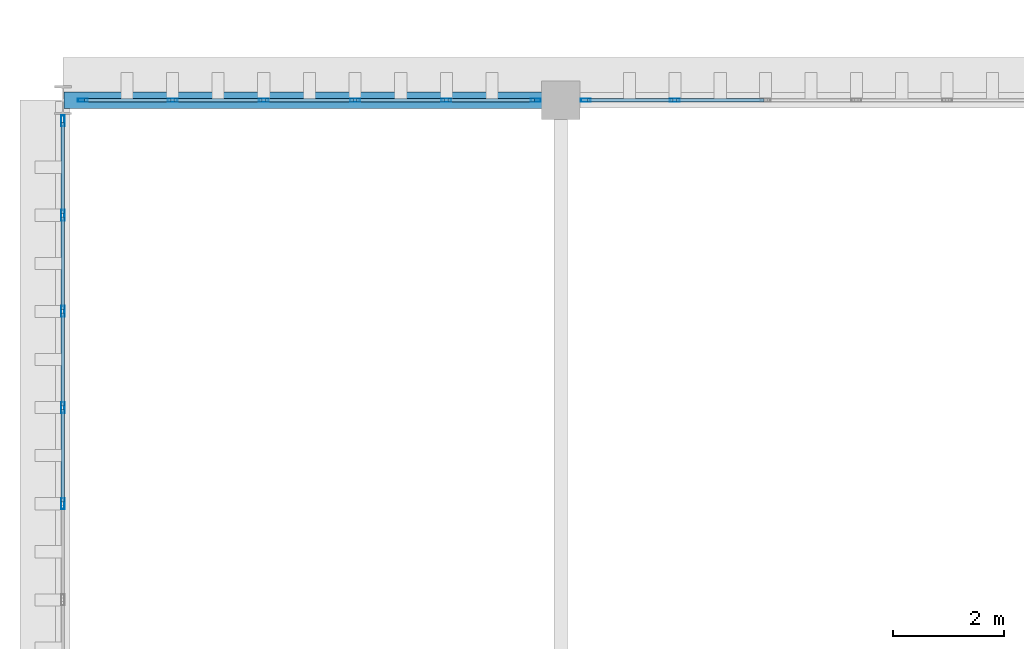
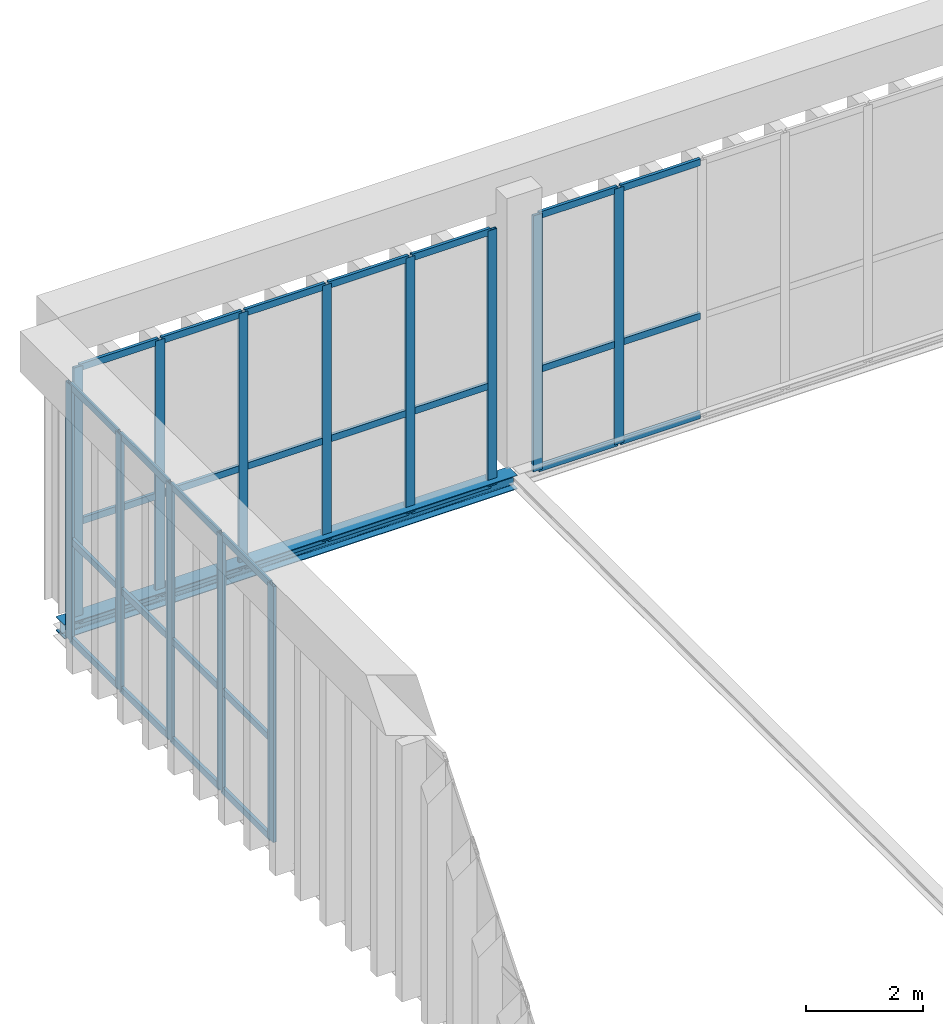
# One storey, part 166 of 237: 46 members, 1 beam, 3 elements without a shape of their own.
"""IFC4 building model written with IfcOpenShell, lengths in metres."""

from ifc_helpers import new_model, si_unit, direction, frame, origin, origin_2d, place, context, subcontext, project, spatial, hollow_rectangle, i_section, extrude, material, layer, layer_set, material_profile, profile_set, type_object, element, aggregate, save


model = new_model("IFC4")

# Units and contexts
model_context = context("Model", 3, precision=1e-05, world=origin(), true_north=direction((0.0, 1.0)))
body_context = subcontext(model_context, "Body", "Model", "MODEL_VIEW")
ifc_project = project(units=[si_unit("LENGTHUNIT", "METRE"), si_unit("AREAUNIT", "SQUARE_METRE"), si_unit("VOLUMEUNIT", "CUBIC_METRE"), si_unit("PLANEANGLEUNIT", "RADIAN"), si_unit("MASSUNIT", "GRAM", prefix="KILO")], contexts=[model_context])

# Site, building, storey
site_placement = place(None, origin())
site = spatial("IfcSite", under=ifc_project, at=site_placement, CompositionType="ELEMENT")
building_placement = place(site_placement, origin())
building = spatial("IfcBuilding", under=site, at=building_placement, Name="Barlavento Convention Centre", CompositionType="ELEMENT")
storey_placement = place(building_placement, frame((0.0, 0.0, 12.0)))
storey = spatial("IfcBuildingStorey", under=building, at=storey_placement, Name="L02", CompositionType="ELEMENT", Elevation=12.0)

# Curtain wall, members
ifc_material_1 = material(Name="Powder-coated aluminium and Low-E glass", Category="aluminium")
ifc_layer = layer(ifc_material_1, 0.18505859375)
ifc_layer_set = layer_set([ifc_layer], Name="ARC-CW-EXH-L02")
curtain_wall_type = type_object("IfcCurtainWallType", Name="ARC-CW-EXH-L02", PredefinedType="NOTDEFINED", material=ifc_layer_set)
curtain_wall_1_placement = place(storey_placement, origin())
curtain_wall_1 = element("IfcCurtainWall", 1, at=curtain_wall_1_placement, inside=storey, type_object=curtain_wall_type, Name="L02 unitised curtain wall CW05", PredefinedType="NOTDEFINED")
ifc_material_2 = material(Name="Powder-coated aluminium", Category="aluminium")
ifc_material_profile_1 = material_profile(ifc_material_2, hollow_rectangle(XDim=0.06005859375, YDim=0.179931640625, WallThickness=0.0048828125, at=origin_2d()), Name="AL-MULL 60x180x5")
ifc_profile_set_1 = profile_set([ifc_material_profile_1], Name="Powder-coated aluminium")
member_type_1 = type_object("IfcMemberType", Name="ARC-CWM-60X180", PredefinedType="MULLION", material=ifc_profile_set_1)
member_1_placement = place(storey_placement, frame((0.362060546875, 135.0, -0.5), z_axis=(0.0, 0.0, 1.0), x_axis=(0.0, 1.0, 0.0)))
member_1 = element("IfcMember", 2, at=member_1_placement, type_object=member_type_1, Name="CW05 mullion 1", PredefinedType="MULLION", context=body_context, shape_type="SweptSolid", body=[
    extrude(hollow_rectangle(XDim=0.06005859375, YDim=0.179931640625, WallThickness=0.0048828125, at=origin_2d()), origin(), (0.0, 0.0, 1.0), 5.35009765625),
])
member_2_placement = place(storey_placement, frame((1.981689453125, 135.0, -0.5), z_axis=(0.0, 0.0, 1.0), x_axis=(0.0, 1.0, 0.0)))
member_2 = element("IfcMember", 3, at=member_2_placement, type_object=member_type_1, Name="CW05 mullion 2", PredefinedType="MULLION", context=body_context, shape_type="SweptSolid", body=[
    extrude(hollow_rectangle(XDim=0.06005859375, YDim=0.179931640625, WallThickness=0.0048828125, at=origin_2d()), origin(), (0.0, 0.0, 1.0), 5.35009765625),
])
member_3_placement = place(storey_placement, frame((3.631103515625, 135.0, -0.5), z_axis=(0.0, 0.0, 1.0), x_axis=(0.0, 1.0, 0.0)))
member_3 = element("IfcMember", 4, at=member_3_placement, type_object=member_type_1, Name="CW05 mullion 3", PredefinedType="MULLION", context=body_context, shape_type="SweptSolid", body=[
    extrude(hollow_rectangle(XDim=0.06005859375, YDim=0.179931640625, WallThickness=0.0048828125, at=origin_2d()), origin(), (0.0, 0.0, 1.0), 5.35009765625),
])
member_4_placement = place(storey_placement, frame((5.28076171875, 135.0, -0.5), z_axis=(0.0, 0.0, 1.0), x_axis=(0.0, 1.0, 0.0)))
member_4 = element("IfcMember", 5, at=member_4_placement, type_object=member_type_1, Name="CW05 mullion 4", PredefinedType="MULLION", context=body_context, shape_type="SweptSolid", body=[
    extrude(hollow_rectangle(XDim=0.06005859375, YDim=0.179931640625, WallThickness=0.0048828125, at=origin_2d()), origin(), (0.0, 0.0, 1.0), 5.35009765625),
])
member_5_placement = place(storey_placement, frame((6.930419921875, 135.0, -0.5), z_axis=(0.0, 0.0, 1.0), x_axis=(0.0, 1.0, 0.0)))
member_5 = element("IfcMember", 6, at=member_5_placement, type_object=member_type_1, Name="CW05 mullion 5", PredefinedType="MULLION", context=body_context, shape_type="SweptSolid", body=[
    extrude(hollow_rectangle(XDim=0.06005859375, YDim=0.179931640625, WallThickness=0.0048828125, at=origin_2d()), origin(), (0.0, 0.0, 1.0), 5.35009765625),
])
member_6_placement = place(storey_placement, frame((8.550048828125, 135.0, -0.5), z_axis=(0.0, 0.0, 1.0), x_axis=(0.0, 1.0, 0.0)))
member_6 = element("IfcMember", 7, at=member_6_placement, type_object=member_type_1, Name="CW05 mullion 6", PredefinedType="MULLION", context=body_context, shape_type="SweptSolid", body=[
    extrude(hollow_rectangle(XDim=0.06005859375, YDim=0.179931640625, WallThickness=0.0048828125, at=origin_2d()), origin(), (0.0, 0.0, 1.0), 5.35009765625),
])

curtain_wall_2_placement = place(storey_placement, origin())
curtain_wall_2 = element("IfcCurtainWall", 8, at=curtain_wall_2_placement, inside=storey, type_object=curtain_wall_type, Name="L02 unitised curtain wall CW05", PredefinedType="NOTDEFINED")
member_7_placement = place(storey_placement, frame((9.449951171875, 135.0, -0.5), z_axis=(0.0, 0.0, 1.0), x_axis=(0.0, 1.0, 0.0)))
member_7 = element("IfcMember", 9, at=member_7_placement, type_object=member_type_1, Name="CW05 mullion 1", PredefinedType="MULLION", context=body_context, shape_type="SweptSolid", body=[
    extrude(hollow_rectangle(XDim=0.06005859375, YDim=0.179931640625, WallThickness=0.0048828125, at=origin_2d()), origin(), (0.0, 0.0, 1.0), 5.35009765625),
])
member_8_placement = place(storey_placement, frame((11.06005859375, 135.0, -0.5), z_axis=(0.0, 0.0, 1.0), x_axis=(0.0, 1.0, 0.0)))
member_8 = element("IfcMember", 10, at=member_8_placement, type_object=member_type_1, Name="CW05 mullion 2", PredefinedType="MULLION", context=body_context, shape_type="SweptSolid", body=[
    extrude(hollow_rectangle(XDim=0.06005859375, YDim=0.179931640625, WallThickness=0.0048828125, at=origin_2d()), origin(), (0.0, 0.0, 1.0), 5.35009765625),
])

curtain_wall_3_placement = place(storey_placement, origin())
curtain_wall_3 = element("IfcCurtainWall", 11, at=curtain_wall_3_placement, inside=storey, type_object=curtain_wall_type, Name="L02 unitised curtain wall CW05", PredefinedType="NOTDEFINED")
ifc_material_profile_2 = material_profile(ifc_material_2, hollow_rectangle(XDim=0.06494140625, YDim=0.199951171875, WallThickness=0.0048828125, at=origin_2d()), Name="AL-MULL 65x200x5")
ifc_profile_set_2 = profile_set([ifc_material_profile_2], Name="Powder-coated aluminium")
member_type_2 = type_object("IfcMemberType", Name="ARC-CWM-65X200", PredefinedType="MULLION", material=ifc_profile_set_2)
member_9_placement = place(storey_placement, frame((0.0, 127.7080078125, -0.5), z_axis=(0.0, 0.0, 1.0), x_axis=(-1.0, 0.0, 0.0)))
member_9 = element("IfcMember", 12, at=member_9_placement, type_object=member_type_2, Name="CW05 mullion 7", PredefinedType="MULLION", context=body_context, shape_type="SweptSolid", body=[
    extrude(hollow_rectangle(XDim=0.06494140625, YDim=0.199951171875, WallThickness=0.0048828125, at=origin_2d()), origin(), (0.0, 0.0, 1.0), 5.35009765625),
])
member_10_placement = place(storey_placement, frame((0.0, 129.445556640625, -0.5), z_axis=(0.0, 0.0, 1.0), x_axis=(-1.0, 0.0, 0.0)))
member_10 = element("IfcMember", 13, at=member_10_placement, type_object=member_type_2, Name="CW05 mullion 8", PredefinedType="MULLION", context=body_context, shape_type="SweptSolid", body=[
    extrude(hollow_rectangle(XDim=0.06494140625, YDim=0.199951171875, WallThickness=0.0048828125, at=origin_2d()), origin(), (0.0, 0.0, 1.0), 5.35009765625),
])
member_11_placement = place(storey_placement, frame((0.0, 131.18310546875, -0.5), z_axis=(0.0, 0.0, 1.0), x_axis=(-1.0, 0.0, 0.0)))
member_11 = element("IfcMember", 14, at=member_11_placement, type_object=member_type_2, Name="CW05 mullion 9", PredefinedType="MULLION", context=body_context, shape_type="SweptSolid", body=[
    extrude(hollow_rectangle(XDim=0.06494140625, YDim=0.199951171875, WallThickness=0.0048828125, at=origin_2d()), origin(), (0.0, 0.0, 1.0), 5.35009765625),
])
member_12_placement = place(storey_placement, frame((0.0, 132.92041015625, -0.5), z_axis=(0.0, 0.0, 1.0), x_axis=(-1.0, 0.0, 0.0)))
member_12 = element("IfcMember", 15, at=member_12_placement, type_object=member_type_2, Name="CW05 mullion 10", PredefinedType="MULLION", context=body_context, shape_type="SweptSolid", body=[
    extrude(hollow_rectangle(XDim=0.06494140625, YDim=0.199951171875, WallThickness=0.0048828125, at=origin_2d()), origin(), (0.0, 0.0, 1.0), 5.35009765625),
])
member_13_placement = place(storey_placement, frame((0.0, 134.62548828125, -0.5), z_axis=(0.0, 0.0, 1.0), x_axis=(-1.0, 0.0, 0.0)))
member_13 = element("IfcMember", 16, at=member_13_placement, type_object=member_type_2, Name="CW05 mullion 11", PredefinedType="MULLION", context=body_context, shape_type="SweptSolid", body=[
    extrude(hollow_rectangle(XDim=0.06494140625, YDim=0.199951171875, WallThickness=0.0048828125, at=origin_2d()), origin(), (0.0, 0.0, 1.0), 5.35009765625),
])
ifc_material_profile_3 = material_profile(ifc_material_2, hollow_rectangle(XDim=0.06005859375, YDim=0.139892578125, WallThickness=0.00390625, at=origin_2d()), Name="AL-TRAN 60x140x4")
ifc_profile_set_3 = profile_set([ifc_material_profile_3], Name="Powder-coated aluminium")
member_type_3 = type_object("IfcMemberType", Name="ARC-CWT-60X140", PredefinedType="USERDEFINED", material=ifc_profile_set_3)
member_14_placement = place(storey_placement, frame((0.0, 127.740478515625, -0.469970703125), z_axis=(0.0, 1.0, 0.0), x_axis=(-1.0, 0.0, 0.0)))
member_14 = element("IfcMember", 17, at=member_14_placement, type_object=member_type_3, Name="CW05 transom 7.1", ObjectType="TRANSOM", PredefinedType="USERDEFINED", context=body_context, shape_type="SweptSolid", body=[
    extrude(hollow_rectangle(XDim=0.06005859375, YDim=0.139892578125, WallThickness=0.00390625, at=origin_2d()), origin(), (0.0, 0.0, 1.0), 1.672607421875),
])
member_15_placement = place(storey_placement, frame((0.0, 127.740478515625, 1.60009765625), z_axis=(0.0, 1.0, 0.0), x_axis=(-1.0, 0.0, 0.0)))
member_15 = element("IfcMember", 18, at=member_15_placement, type_object=member_type_3, Name="CW05 transom 7.2", ObjectType="TRANSOM", PredefinedType="USERDEFINED", context=body_context, shape_type="SweptSolid", body=[
    extrude(hollow_rectangle(XDim=0.06005859375, YDim=0.139892578125, WallThickness=0.00390625, at=origin_2d()), origin(), (0.0, 0.0, 1.0), 1.672607421875),
])
member_16_placement = place(storey_placement, frame((0.0, 127.740478515625, 4.820068359375), z_axis=(0.0, 1.0, 0.0), x_axis=(-1.0, 0.0, 0.0)))
member_16 = element("IfcMember", 19, at=member_16_placement, type_object=member_type_3, Name="CW05 transom 7.3", ObjectType="TRANSOM", PredefinedType="USERDEFINED", context=body_context, shape_type="SweptSolid", body=[
    extrude(hollow_rectangle(XDim=0.06005859375, YDim=0.139892578125, WallThickness=0.00390625, at=origin_2d()), origin(), (0.0, 0.0, 1.0), 1.672607421875),
])
member_17_placement = place(storey_placement, frame((0.0, 129.47802734375, -0.469970703125), z_axis=(0.0, 1.0, 0.0), x_axis=(-1.0, 0.0, 0.0)))
member_17 = element("IfcMember", 20, at=member_17_placement, type_object=member_type_3, Name="CW05 transom 8.1", ObjectType="TRANSOM", PredefinedType="USERDEFINED", context=body_context, shape_type="SweptSolid", body=[
    extrude(hollow_rectangle(XDim=0.06005859375, YDim=0.139892578125, WallThickness=0.00390625, at=origin_2d()), origin(), (0.0, 0.0, 1.0), 1.672607421875),
])
member_18_placement = place(storey_placement, frame((0.0, 129.47802734375, 1.60009765625), z_axis=(0.0, 1.0, 0.0), x_axis=(-1.0, 0.0, 0.0)))
member_18 = element("IfcMember", 21, at=member_18_placement, type_object=member_type_3, Name="CW05 transom 8.2", ObjectType="TRANSOM", PredefinedType="USERDEFINED", context=body_context, shape_type="SweptSolid", body=[
    extrude(hollow_rectangle(XDim=0.06005859375, YDim=0.139892578125, WallThickness=0.00390625, at=origin_2d()), origin(), (0.0, 0.0, 1.0), 1.672607421875),
])
member_19_placement = place(storey_placement, frame((0.0, 129.47802734375, 4.820068359375), z_axis=(0.0, 1.0, 0.0), x_axis=(-1.0, 0.0, 0.0)))
member_19 = element("IfcMember", 22, at=member_19_placement, type_object=member_type_3, Name="CW05 transom 8.3", ObjectType="TRANSOM", PredefinedType="USERDEFINED", context=body_context, shape_type="SweptSolid", body=[
    extrude(hollow_rectangle(XDim=0.06005859375, YDim=0.139892578125, WallThickness=0.00390625, at=origin_2d()), origin(), (0.0, 0.0, 1.0), 1.672607421875),
])
member_20_placement = place(storey_placement, frame((0.0, 131.215576171875, -0.469970703125), z_axis=(0.0, 1.0, 0.0), x_axis=(-1.0, 0.0, 0.0)))
member_20 = element("IfcMember", 23, at=member_20_placement, type_object=member_type_3, Name="CW05 transom 9.1", ObjectType="TRANSOM", PredefinedType="USERDEFINED", context=body_context, shape_type="SweptSolid", body=[
    extrude(hollow_rectangle(XDim=0.06005859375, YDim=0.139892578125, WallThickness=0.00390625, at=origin_2d()), origin(), (0.0, 0.0, 1.0), 1.67236328125),
])
member_21_placement = place(storey_placement, frame((0.0, 131.215576171875, 1.60009765625), z_axis=(0.0, 1.0, 0.0), x_axis=(-1.0, 0.0, 0.0)))
member_21 = element("IfcMember", 24, at=member_21_placement, type_object=member_type_3, Name="CW05 transom 9.2", ObjectType="TRANSOM", PredefinedType="USERDEFINED", context=body_context, shape_type="SweptSolid", body=[
    extrude(hollow_rectangle(XDim=0.06005859375, YDim=0.139892578125, WallThickness=0.00390625, at=origin_2d()), origin(), (0.0, 0.0, 1.0), 1.67236328125),
])
member_22_placement = place(storey_placement, frame((0.0, 131.215576171875, 4.820068359375), z_axis=(0.0, 1.0, 0.0), x_axis=(-1.0, 0.0, 0.0)))
member_22 = element("IfcMember", 25, at=member_22_placement, type_object=member_type_3, Name="CW05 transom 9.3", ObjectType="TRANSOM", PredefinedType="USERDEFINED", context=body_context, shape_type="SweptSolid", body=[
    extrude(hollow_rectangle(XDim=0.06005859375, YDim=0.139892578125, WallThickness=0.00390625, at=origin_2d()), origin(), (0.0, 0.0, 1.0), 1.67236328125),
])
member_23_placement = place(storey_placement, frame((0.0, 132.953125, -0.469970703125), z_axis=(0.0, 1.0, 0.0), x_axis=(-1.0, 0.0, 0.0)))
member_23 = element("IfcMember", 26, at=member_23_placement, type_object=member_type_3, Name="CW05 transom 10.1", ObjectType="TRANSOM", PredefinedType="USERDEFINED", context=body_context, shape_type="SweptSolid", body=[
    extrude(hollow_rectangle(XDim=0.06005859375, YDim=0.139892578125, WallThickness=0.00390625, at=origin_2d()), origin(), (0.0, 0.0, 1.0), 1.639892578125),
])
member_24_placement = place(storey_placement, frame((0.0, 132.953125, 1.60009765625), z_axis=(0.0, 1.0, 0.0), x_axis=(-1.0, 0.0, 0.0)))
member_24 = element("IfcMember", 27, at=member_24_placement, type_object=member_type_3, Name="CW05 transom 10.2", ObjectType="TRANSOM", PredefinedType="USERDEFINED", context=body_context, shape_type="SweptSolid", body=[
    extrude(hollow_rectangle(XDim=0.06005859375, YDim=0.139892578125, WallThickness=0.00390625, at=origin_2d()), origin(), (0.0, 0.0, 1.0), 1.639892578125),
])
member_25_placement = place(storey_placement, frame((0.0, 132.953125, 4.820068359375), z_axis=(0.0, 1.0, 0.0), x_axis=(-1.0, 0.0, 0.0)))
member_25 = element("IfcMember", 28, at=member_25_placement, type_object=member_type_3, Name="CW05 transom 10.3", ObjectType="TRANSOM", PredefinedType="USERDEFINED", context=body_context, shape_type="SweptSolid", body=[
    extrude(hollow_rectangle(XDim=0.06005859375, YDim=0.139892578125, WallThickness=0.00390625, at=origin_2d()), origin(), (0.0, 0.0, 1.0), 1.639892578125),
])
aggregate(curtain_wall_3, [member_9, member_10, member_11, member_12, member_13, member_14, member_15, member_16, member_17, member_18, member_19, member_20, member_21, member_22, member_23, member_24, member_25])

# Member
member_26_placement = place(storey_placement, frame((0.39208984375, 135.0, -0.469970703125), z_axis=(1.0, 0.0, 0.0), x_axis=(0.0, 1.0, 0.0)))
member_26 = element("IfcMember", 29, at=member_26_placement, type_object=member_type_3, Name="CW05 transom 1.1", ObjectType="TRANSOM", PredefinedType="USERDEFINED", context=body_context, shape_type="SweptSolid", body=[
    extrude(hollow_rectangle(XDim=0.06005859375, YDim=0.139892578125, WallThickness=0.00390625, at=origin_2d()), origin(), (0.0, 0.0, 1.0), 1.5595703125),
])

member_27_placement = place(storey_placement, frame((0.39208984375, 135.0, 1.60009765625), z_axis=(1.0, 0.0, 0.0), x_axis=(0.0, 1.0, 0.0)))
member_27 = element("IfcMember", 30, at=member_27_placement, type_object=member_type_3, Name="CW05 transom 1.2", ObjectType="TRANSOM", PredefinedType="USERDEFINED", context=body_context, shape_type="SweptSolid", body=[
    extrude(hollow_rectangle(XDim=0.06005859375, YDim=0.139892578125, WallThickness=0.00390625, at=origin_2d()), origin(), (0.0, 0.0, 1.0), 1.5595703125),
])

member_28_placement = place(storey_placement, frame((0.39208984375, 135.0, 4.820068359375), z_axis=(1.0, 0.0, 0.0), x_axis=(0.0, 1.0, 0.0)))
member_28 = element("IfcMember", 31, at=member_28_placement, type_object=member_type_3, Name="CW05 transom 1.3", ObjectType="TRANSOM", PredefinedType="USERDEFINED", context=body_context, shape_type="SweptSolid", body=[
    extrude(hollow_rectangle(XDim=0.06005859375, YDim=0.139892578125, WallThickness=0.00390625, at=origin_2d()), origin(), (0.0, 0.0, 1.0), 1.5595703125),
])

member_29_placement = place(storey_placement, frame((2.01171875, 135.0, -0.469970703125), z_axis=(1.0, 0.0, 0.0), x_axis=(0.0, 1.0, 0.0)))
member_29 = element("IfcMember", 32, at=member_29_placement, type_object=member_type_3, Name="CW05 transom 2.1", ObjectType="TRANSOM", PredefinedType="USERDEFINED", context=body_context, shape_type="SweptSolid", body=[
    extrude(hollow_rectangle(XDim=0.06005859375, YDim=0.139892578125, WallThickness=0.00390625, at=origin_2d()), origin(), (0.0, 0.0, 1.0), 1.589599609375),
])

member_30_placement = place(storey_placement, frame((2.01171875, 135.0, 1.60009765625), z_axis=(1.0, 0.0, 0.0), x_axis=(0.0, 1.0, 0.0)))
member_30 = element("IfcMember", 33, at=member_30_placement, type_object=member_type_3, Name="CW05 transom 2.2", ObjectType="TRANSOM", PredefinedType="USERDEFINED", context=body_context, shape_type="SweptSolid", body=[
    extrude(hollow_rectangle(XDim=0.06005859375, YDim=0.139892578125, WallThickness=0.00390625, at=origin_2d()), origin(), (0.0, 0.0, 1.0), 1.589599609375),
])

member_31_placement = place(storey_placement, frame((2.01171875, 135.0, 4.820068359375), z_axis=(1.0, 0.0, 0.0), x_axis=(0.0, 1.0, 0.0)))
member_31 = element("IfcMember", 34, at=member_31_placement, type_object=member_type_3, Name="CW05 transom 2.3", ObjectType="TRANSOM", PredefinedType="USERDEFINED", context=body_context, shape_type="SweptSolid", body=[
    extrude(hollow_rectangle(XDim=0.06005859375, YDim=0.139892578125, WallThickness=0.00390625, at=origin_2d()), origin(), (0.0, 0.0, 1.0), 1.589599609375),
])

member_32_placement = place(storey_placement, frame((3.6611328125, 135.0, -0.469970703125), z_axis=(1.0, 0.0, 0.0), x_axis=(0.0, 1.0, 0.0)))
member_32 = element("IfcMember", 35, at=member_32_placement, type_object=member_type_3, Name="CW05 transom 3.1", ObjectType="TRANSOM", PredefinedType="USERDEFINED", context=body_context, shape_type="SweptSolid", body=[
    extrude(hollow_rectangle(XDim=0.06005859375, YDim=0.139892578125, WallThickness=0.00390625, at=origin_2d()), origin(), (0.0, 0.0, 1.0), 1.589599609375),
])

member_33_placement = place(storey_placement, frame((3.6611328125, 135.0, 1.60009765625), z_axis=(1.0, 0.0, 0.0), x_axis=(0.0, 1.0, 0.0)))
member_33 = element("IfcMember", 36, at=member_33_placement, type_object=member_type_3, Name="CW05 transom 3.2", ObjectType="TRANSOM", PredefinedType="USERDEFINED", context=body_context, shape_type="SweptSolid", body=[
    extrude(hollow_rectangle(XDim=0.06005859375, YDim=0.139892578125, WallThickness=0.00390625, at=origin_2d()), origin(), (0.0, 0.0, 1.0), 1.589599609375),
])

member_34_placement = place(storey_placement, frame((3.6611328125, 135.0, 4.820068359375), z_axis=(1.0, 0.0, 0.0), x_axis=(0.0, 1.0, 0.0)))
member_34 = element("IfcMember", 37, at=member_34_placement, type_object=member_type_3, Name="CW05 transom 3.3", ObjectType="TRANSOM", PredefinedType="USERDEFINED", context=body_context, shape_type="SweptSolid", body=[
    extrude(hollow_rectangle(XDim=0.06005859375, YDim=0.139892578125, WallThickness=0.00390625, at=origin_2d()), origin(), (0.0, 0.0, 1.0), 1.589599609375),
])

member_35_placement = place(storey_placement, frame((5.310791015625, 135.0, -0.469970703125), z_axis=(1.0, 0.0, 0.0), x_axis=(0.0, 1.0, 0.0)))
member_35 = element("IfcMember", 38, at=member_35_placement, type_object=member_type_3, Name="CW05 transom 4.1", ObjectType="TRANSOM", PredefinedType="USERDEFINED", context=body_context, shape_type="SweptSolid", body=[
    extrude(hollow_rectangle(XDim=0.06005859375, YDim=0.139892578125, WallThickness=0.00390625, at=origin_2d()), origin(), (0.0, 0.0, 1.0), 1.589599609375),
])

member_36_placement = place(storey_placement, frame((5.310791015625, 135.0, 1.60009765625), z_axis=(1.0, 0.0, 0.0), x_axis=(0.0, 1.0, 0.0)))
member_36 = element("IfcMember", 39, at=member_36_placement, type_object=member_type_3, Name="CW05 transom 4.2", ObjectType="TRANSOM", PredefinedType="USERDEFINED", context=body_context, shape_type="SweptSolid", body=[
    extrude(hollow_rectangle(XDim=0.06005859375, YDim=0.139892578125, WallThickness=0.00390625, at=origin_2d()), origin(), (0.0, 0.0, 1.0), 1.589599609375),
])

member_37_placement = place(storey_placement, frame((5.310791015625, 135.0, 4.820068359375), z_axis=(1.0, 0.0, 0.0), x_axis=(0.0, 1.0, 0.0)))
member_37 = element("IfcMember", 40, at=member_37_placement, type_object=member_type_3, Name="CW05 transom 4.3", ObjectType="TRANSOM", PredefinedType="USERDEFINED", context=body_context, shape_type="SweptSolid", body=[
    extrude(hollow_rectangle(XDim=0.06005859375, YDim=0.139892578125, WallThickness=0.00390625, at=origin_2d()), origin(), (0.0, 0.0, 1.0), 1.589599609375),
])

member_38_placement = place(storey_placement, frame((6.96044921875, 135.0, -0.469970703125), z_axis=(1.0, 0.0, 0.0), x_axis=(0.0, 1.0, 0.0)))
member_38 = element("IfcMember", 41, at=member_38_placement, type_object=member_type_3, Name="CW05 transom 5.1", ObjectType="TRANSOM", PredefinedType="USERDEFINED", context=body_context, shape_type="SweptSolid", body=[
    extrude(hollow_rectangle(XDim=0.06005859375, YDim=0.139892578125, WallThickness=0.00390625, at=origin_2d()), origin(), (0.0, 0.0, 1.0), 1.5595703125),
])

member_39_placement = place(storey_placement, frame((6.96044921875, 135.0, 1.60009765625), z_axis=(1.0, 0.0, 0.0), x_axis=(0.0, 1.0, 0.0)))
member_39 = element("IfcMember", 42, at=member_39_placement, type_object=member_type_3, Name="CW05 transom 5.2", ObjectType="TRANSOM", PredefinedType="USERDEFINED", context=body_context, shape_type="SweptSolid", body=[
    extrude(hollow_rectangle(XDim=0.06005859375, YDim=0.139892578125, WallThickness=0.00390625, at=origin_2d()), origin(), (0.0, 0.0, 1.0), 1.5595703125),
])

member_40_placement = place(storey_placement, frame((6.96044921875, 135.0, 4.820068359375), z_axis=(1.0, 0.0, 0.0), x_axis=(0.0, 1.0, 0.0)))
member_40 = element("IfcMember", 43, at=member_40_placement, type_object=member_type_3, Name="CW05 transom 5.3", ObjectType="TRANSOM", PredefinedType="USERDEFINED", context=body_context, shape_type="SweptSolid", body=[
    extrude(hollow_rectangle(XDim=0.06005859375, YDim=0.139892578125, WallThickness=0.00390625, at=origin_2d()), origin(), (0.0, 0.0, 1.0), 1.5595703125),
])

aggregate(curtain_wall_1, [member_1, member_2, member_3, member_4, member_5, member_6, member_26, member_27, member_28, member_29, member_30, member_31, member_32, member_33, member_34, member_35, member_36, member_37, member_38, member_39, member_40])

member_41_placement = place(storey_placement, frame((9.47998046875, 135.0, -0.469970703125), z_axis=(1.0, 0.0, 0.0), x_axis=(0.0, 1.0, 0.0)))
member_41 = element("IfcMember", 44, at=member_41_placement, type_object=member_type_3, Name="CW05 transom 1.1", ObjectType="TRANSOM", PredefinedType="USERDEFINED", context=body_context, shape_type="SweptSolid", body=[
    extrude(hollow_rectangle(XDim=0.06005859375, YDim=0.139892578125, WallThickness=0.00390625, at=origin_2d()), origin(), (0.0, 0.0, 1.0), 1.550048828125),
])

member_42_placement = place(storey_placement, frame((9.47998046875, 135.0, 1.60009765625), z_axis=(1.0, 0.0, 0.0), x_axis=(0.0, 1.0, 0.0)))
member_42 = element("IfcMember", 45, at=member_42_placement, type_object=member_type_3, Name="CW05 transom 1.2", ObjectType="TRANSOM", PredefinedType="USERDEFINED", context=body_context, shape_type="SweptSolid", body=[
    extrude(hollow_rectangle(XDim=0.06005859375, YDim=0.139892578125, WallThickness=0.00390625, at=origin_2d()), origin(), (0.0, 0.0, 1.0), 1.550048828125),
])

member_43_placement = place(storey_placement, frame((9.47998046875, 135.0, 4.820068359375), z_axis=(1.0, 0.0, 0.0), x_axis=(0.0, 1.0, 0.0)))
member_43 = element("IfcMember", 46, at=member_43_placement, type_object=member_type_3, Name="CW05 transom 1.3", ObjectType="TRANSOM", PredefinedType="USERDEFINED", context=body_context, shape_type="SweptSolid", body=[
    extrude(hollow_rectangle(XDim=0.06005859375, YDim=0.139892578125, WallThickness=0.00390625, at=origin_2d()), origin(), (0.0, 0.0, 1.0), 1.550048828125),
])

member_44_placement = place(storey_placement, frame((11.090087890625, 135.0, -0.469970703125), z_axis=(1.0, 0.0, 0.0), x_axis=(0.0, 1.0, 0.0)))
member_44 = element("IfcMember", 47, at=member_44_placement, type_object=member_type_3, Name="CW05 transom 2.1", ObjectType="TRANSOM", PredefinedType="USERDEFINED", context=body_context, shape_type="SweptSolid", body=[
    extrude(hollow_rectangle(XDim=0.06005859375, YDim=0.139892578125, WallThickness=0.00390625, at=origin_2d()), origin(), (0.0, 0.0, 1.0), 1.579833984375),
])

member_45_placement = place(storey_placement, frame((11.090087890625, 135.0, 1.60009765625), z_axis=(1.0, 0.0, 0.0), x_axis=(0.0, 1.0, 0.0)))
member_45 = element("IfcMember", 48, at=member_45_placement, type_object=member_type_3, Name="CW05 transom 2.2", ObjectType="TRANSOM", PredefinedType="USERDEFINED", context=body_context, shape_type="SweptSolid", body=[
    extrude(hollow_rectangle(XDim=0.06005859375, YDim=0.139892578125, WallThickness=0.00390625, at=origin_2d()), origin(), (0.0, 0.0, 1.0), 1.579833984375),
])

member_46_placement = place(storey_placement, frame((11.090087890625, 135.0, 4.820068359375), z_axis=(1.0, 0.0, 0.0), x_axis=(0.0, 1.0, 0.0)))
member_46 = element("IfcMember", 49, at=member_46_placement, type_object=member_type_3, Name="CW05 transom 2.3", ObjectType="TRANSOM", PredefinedType="USERDEFINED", context=body_context, shape_type="SweptSolid", body=[
    extrude(hollow_rectangle(XDim=0.06005859375, YDim=0.139892578125, WallThickness=0.00390625, at=origin_2d()), origin(), (0.0, 0.0, 1.0), 1.579833984375),
])

aggregate(curtain_wall_2, [member_7, member_8, member_41, member_42, member_43, member_44, member_45, member_46])

# Beam
ifc_material_3 = material(Name="Steel S355", Category="steel")
ifc_material_profile_4 = material_profile(ifc_material_3, i_section(OverallWidth=0.300048828125, OverallDepth=0.2900390625, WebThickness=0.008544921875, FlangeThickness=0.013916015625, FilletRadius=0.027099609375, at=origin_2d()), Name="HEA 300")
ifc_profile_set_4 = profile_set([ifc_material_profile_4], Name="Steel S355")
beam_type = type_object("IfcBeamType", Name="STR-BM-SPN-HEA300", PredefinedType="SPANDREL", material=ifc_profile_set_4)
beam_placement = place(storey_placement, frame((0.02001953125, 135.0, -0.5048828125), z_axis=(1.0, 0.0, 0.0), x_axis=(0.0, 1.0, 0.0)))
element("IfcBeam", 50, at=beam_placement, inside=storey, type_object=beam_type, Name="L02 primary girder SP02", PredefinedType="SPANDREL", context=body_context, shape_type="SweptSolid", body=[
    extrude(i_section(OverallWidth=0.300048828125, OverallDepth=0.2900390625, WebThickness=0.008544921875, FlangeThickness=0.013916015625, FilletRadius=0.027099609375, at=origin_2d()), origin(), (0.0, 0.0, 1.0), 8.9599609375),
])

save(model, "model.ifc")
